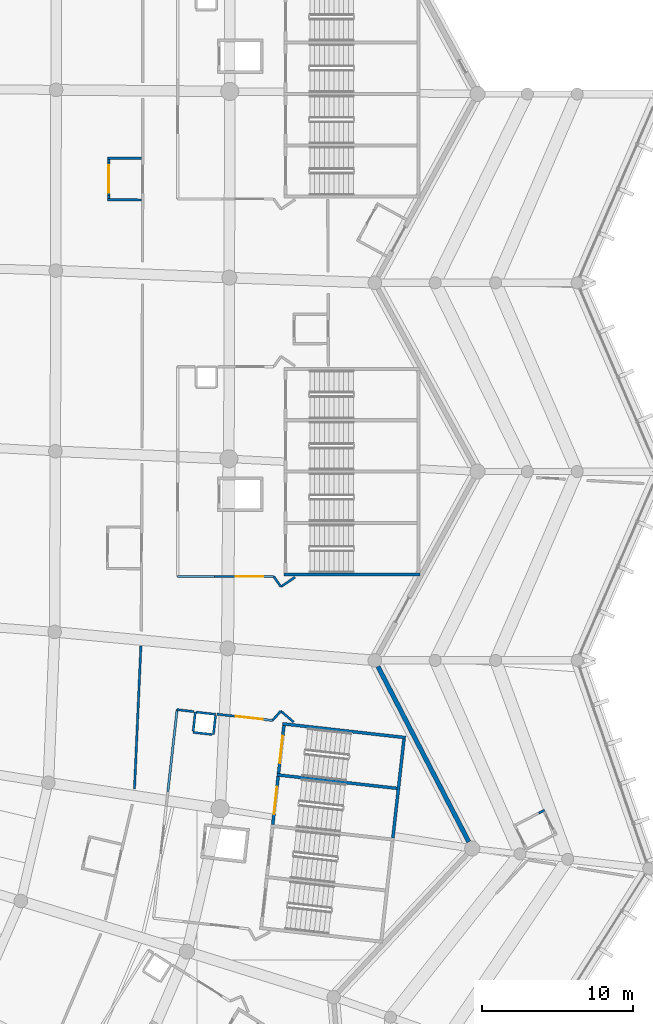
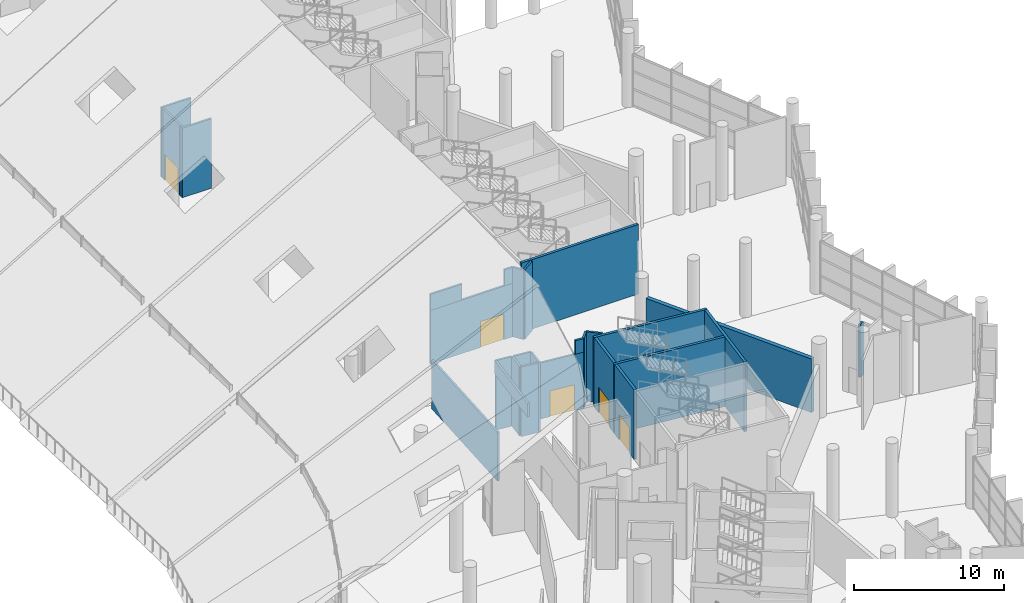
# One storey, part 155 of 249: 29 walls, 5 doors, 5 openings.
"""IFC4 building model written with IfcOpenShell, lengths in metres."""

import ifcopenshell
import ifcopenshell.guid

model = None  # the IFC model being written
_history = None  # IfcOwnerHistory: only IFC2X3 demands one
_inside = {}  # id of a spatial element -> (the spatial element, [elements in it])
_under = {}  # id of a project, library or spatial element -> (it, [spatial elements below it])
_declared = {}  # id of a project -> (the project, [libraries it declares])
_typed = {}  # id of a type object -> (the type object, [elements of that type])
_made_of = {}  # id of a material, layer set ... -> (it, [elements and type objects made of it])


def new_model(schema):
    """Start an empty IFC model of exactly this schema.

    Asked for "IFC4X3", IfcOpenShell would pick the latest addendum, in which some entities
    have other attributes; the version numbers below select the first issue.
    IFC2X3 requires an IfcOwnerHistory on every rooted entity: one is made here for all.
    """
    global model, _history
    if schema == "IFC4X3":
        model = ifcopenshell.file(schema_version=(4, 3, 0, 0))
    else:
        model = ifcopenshell.file(schema=schema)
    _inside.clear()
    _under.clear()
    _declared.clear()
    _typed.clear()
    _made_of.clear()
    _history = None
    if model.schema == "IFC2X3":
        org = make("IfcOrganization", Name="unknown")
        user = make(
            "IfcPersonAndOrganization",
            ThePerson=make("IfcPerson", FamilyName="unknown"),
            TheOrganization=org,
        )
        app = make(
            "IfcApplication",
            ApplicationDeveloper=org,
            Version="unknown",
            ApplicationFullName="unknown",
            ApplicationIdentifier="unknown",
        )
        _history = make(
            "IfcOwnerHistory",
            OwningUser=user,
            OwningApplication=app,
            ChangeAction="ADDED",
            CreationDate=0,
        )
    return model


def make(cls, **values):
    """One entity of the class cls with the attributes given. An attribute that is None is left unset."""
    return model.create_entity(
        cls, **{name: value for name, value in values.items() if value is not None}
    )


def rooted(cls, **values):
    """An entity with a GlobalId (a new one), such as an element, a storey or a relation."""
    return make(cls, GlobalId=ifcopenshell.guid.new(), OwnerHistory=_history, **values)


def si_unit(unit_type, name, prefix=None):
    """IfcSIUnit, for example si_unit("LENGTHUNIT", "METRE", prefix="MILLI")."""
    return make("IfcSIUnit", UnitType=unit_type, Prefix=prefix, Name=name)


def assignment(units):
    """IfcUnitAssignment: the units of a project."""
    return None if units is None else make("IfcUnitAssignment", Units=units)


def point(xyz):
    """IfcCartesianPoint."""
    return None if xyz is None else make("IfcCartesianPoint", Coordinates=xyz)


def direction(xyz):
    """IfcDirection."""
    return None if xyz is None else make("IfcDirection", DirectionRatios=xyz)


def frame(location, z_axis=None, x_axis=None):
    """IfcAxis2Placement3D, a coordinate frame: its origin and axes. An axis left out is left unset."""
    return make(
        "IfcAxis2Placement3D",
        Location=point(location),
        Axis=direction(z_axis),
        RefDirection=direction(x_axis),
    )


def frame_2d(location, x_axis=None):
    """IfcAxis2Placement2D, a coordinate frame in the plane: its origin and x axis."""
    return make(
        "IfcAxis2Placement2D", Location=point(location), RefDirection=direction(x_axis)
    )


def origin():
    """The frame at (0, 0, 0) with its axes left unset."""
    return frame((0.0, 0.0, 0.0))


def place(relative_to, where):
    """IfcLocalPlacement: puts the frame where relative to a parent placement (None: the world)."""
    return make(
        "IfcLocalPlacement", PlacementRelTo=relative_to, RelativePlacement=where
    )


def context(
    kind, dimensions, precision=None, world=None, true_north=None, identifier=None
):
    """IfcGeometricRepresentationContext, for example the 3D "Model" context."""
    return make(
        "IfcGeometricRepresentationContext",
        ContextIdentifier=identifier,
        ContextType=kind,
        CoordinateSpaceDimension=dimensions,
        Precision=precision,
        WorldCoordinateSystem=world,
        TrueNorth=true_north,
    )


def subcontext(parent, identifier, kind, view, scale=None):
    """IfcGeometricRepresentationSubContext, for example "Body" below "Model"."""
    return make(
        "IfcGeometricRepresentationSubContext",
        ContextIdentifier=identifier,
        ContextType=kind,
        ParentContext=parent,
        TargetScale=scale,
        TargetView=view,
    )


def project(units=None, contexts=None):
    """IfcProject with its units and contexts."""
    return rooted(
        "IfcProject",
        Name="project",
        RepresentationContexts=contexts,
        UnitsInContext=assignment(units),
    )


def spatial(cls, under=None, at=None, **own):
    """A site, building, storey or space (cls), placed at a placement, below another one or the project."""
    s = rooted(cls, ObjectPlacement=at, **own)
    if under is not None:
        _under.setdefault(under.id(), (under, []))[1].append(s)
    return s


def profile(cls, at=None, kind="AREA", **sizes):
    """A parametric profile (cls). Its sizes go by their IFC names, for example OverallWidth=200.0."""
    return make(cls, ProfileType=kind, Position=at, **sizes)


def rectangle(**sizes):
    """IfcRectangleProfileDef."""
    return profile("IfcRectangleProfileDef", **sizes)


def extrude(swept, where, along, depth):
    """IfcExtrudedAreaSolid: the profile swept, set in the frame where, extruded along a direction by depth."""
    return make(
        "IfcExtrudedAreaSolid",
        SweptArea=swept,
        Position=where,
        ExtrudedDirection=direction(along),
        Depth=depth,
    )


def shape(context_of_items, identifier, shape_type, items):
    """IfcShapeRepresentation: the items that make up one representation, for example the "Body"."""
    return make(
        "IfcShapeRepresentation",
        ContextOfItems=context_of_items,
        RepresentationIdentifier=identifier,
        RepresentationType=shape_type,
        Items=items,
    )


def material(Name=None, Category=None):
    """IfcMaterial."""
    return make("IfcMaterial", Name=Name, Category=Category)


def layer(
    of_material, thickness, ventilated=None, Name=None, Category=None, Priority=None
):
    """IfcMaterialLayer: one layer of a wall or slab, of a material (None: an air gap)."""
    return make(
        "IfcMaterialLayer",
        Material=of_material,
        LayerThickness=thickness,
        IsVentilated=ventilated,
        Name=Name,
        Category=Category,
        Priority=Priority,
    )


def layer_set(layers, Name=None):
    """IfcMaterialLayerSet."""
    return make("IfcMaterialLayerSet", MaterialLayers=layers, LayerSetName=Name)


def made_of(thing, what):
    """Note that an element or type object is made of a material, layer set ...; save() writes the relation."""
    if what is not None:
        _made_of.setdefault(what.id(), (what, []))[1].append(thing)
    return thing


def type_object(cls, material=None, **own):
    """A type object (cls), such as IfcWallType, which elements share."""
    return made_of(rooted(cls, **own), material)


def element(
    cls,
    number,
    at=None,
    inside=None,
    cuts=None,
    type_object=None,
    material=None,
    context=None,
    identifier="Body",
    shape_type=None,
    held_by="IfcProductDefinitionShape",
    body=None,
    shapes=None,
    **own,
):
    """One element of the class cls, such as IfcWall. Its Tag is "e" and its number.

    at: its placement. inside: the storey or other place that contains it. cuts: it is an
    opening in that element (IfcRelVoidsElement). A single representation is given by context,
    identifier, shape_type and body (its items); several are given by shapes. held_by: the class
    of the entity that holds the representations. save() writes the other relations.
    """
    e = rooted(cls, Tag="e%d" % number, ObjectPlacement=at, **own)
    if body is not None:
        shapes = [shape(context, identifier, shape_type, body)]
    if shapes is not None:
        e.Representation = make(held_by, Representations=shapes)
    if inside is not None:
        _inside.setdefault(inside.id(), (inside, []))[1].append(e)
    if cuts is not None:
        rooted(
            "IfcRelVoidsElement", RelatingBuildingElement=cuts, RelatedOpeningElement=e
        )
    if type_object is not None:
        _typed.setdefault(type_object.id(), (type_object, []))[1].append(e)
    return made_of(e, material)


def fill(opening, filler):
    """IfcRelFillsElement: the door or window that sits in an opening."""
    return rooted(
        "IfcRelFillsElement",
        RelatingOpeningElement=opening,
        RelatedBuildingElement=filler,
    )


def aggregate(whole, parts):
    """IfcRelAggregates: a whole, such as a stair, and the parts it consists of."""
    return rooted("IfcRelAggregates", RelatingObject=whole, RelatedObjects=parts)


def save(model, path):
    """Write the relations noted so far, then the file.

    IfcRelAggregates (storeys below a building ...), IfcRelContainedInSpatialStructure (elements
    in a storey), IfcRelDefinesByType, IfcRelAssociatesMaterial and IfcRelDeclares: one each for
    every whole, place, type object, material and project.
    """
    for whole, parts in _under.values():
        aggregate(whole, parts)
    for where, things in _inside.values():
        rooted(
            "IfcRelContainedInSpatialStructure",
            RelatedElements=things,
            RelatingStructure=where,
        )
    for kind, things in _typed.values():
        rooted("IfcRelDefinesByType", RelatedObjects=things, RelatingType=kind)
    for what, things in _made_of.values():
        rooted("IfcRelAssociatesMaterial", RelatedObjects=things, RelatingMaterial=what)
    for by, libraries in _declared.values():
        rooted("IfcRelDeclares", RelatingContext=by, RelatedDefinitions=libraries)
    model.write(path)


model = new_model("IFC4")

# Units and contexts
model_context = context("Model", 3, precision=1e-05, world=origin(), true_north=direction((0.0, 1.0)))
body_context = subcontext(model_context, "Body", "Model", "MODEL_VIEW")
ifc_project = project(units=[si_unit("LENGTHUNIT", "METRE"), si_unit("AREAUNIT", "SQUARE_METRE"), si_unit("VOLUMEUNIT", "CUBIC_METRE"), si_unit("PLANEANGLEUNIT", "RADIAN"), si_unit("MASSUNIT", "GRAM", prefix="KILO")], contexts=[model_context])

# Site, building, storey
site_placement = place(None, origin())
site = spatial("IfcSite", under=ifc_project, at=site_placement, CompositionType="ELEMENT")
building_placement = place(site_placement, origin())
building = spatial("IfcBuilding", under=site, at=building_placement, Name="Meseta Stadium", CompositionType="ELEMENT")
storey_placement = place(building_placement, frame((0.0, 0.0, 12.0)))
storey = spatial("IfcBuildingStorey", under=building, at=storey_placement, Name="L02", CompositionType="ELEMENT", Elevation=12.0)

# Walls
ifc_material_1 = material(Name="Concrete C40/50", Category="concrete")
ifc_layer_1 = layer(ifc_material_1, 0.199951171875)
ifc_layer_set_1 = layer_set([ifc_layer_1], Name="Core divider wall 200")
wall_type_1 = type_object("IfcWallType", Name="Core divider wall 200", PredefinedType="SHEAR", material=ifc_layer_set_1)
wall_1_placement = place(storey_placement, frame((96.264892578125, -52.241943359375, 0.0), z_axis=(0.0, 0.0, 1.0), x_axis=(-0.993713731549, 0.111950970206, 0.0)))
element("IfcWall", 1, at=wall_1_placement, inside=storey, type_object=wall_type_1, Name="Core 01 L02 stair B divider wall", PredefinedType="SHEAR", context=body_context, shape_type="SweptSolid", body=[
    extrude(rectangle(XDim=8.19970703125, YDim=0.199951171875, at=frame_2d((4.099853515625, 0.0))), origin(), (0.0, 0.0, 1.0), 5.64990234375),
])
ifc_material_2 = material(Name="Concrete C40/50", Category="concrete")
ifc_layer_2 = layer(ifc_material_2, 0.199951171875)
ifc_layer_set_2 = layer_set([ifc_layer_2], Name="Core shaft wall 200")
wall_type_2 = type_object("IfcWallType", Name="Core shaft wall 200", PredefinedType="SHEAR", material=ifc_layer_set_2)
wall_2_placement = place(storey_placement, frame((96.645751953125, -48.86328125, 0.0), z_axis=(0.0, 0.0, 1.0), x_axis=(-0.993714104693, 0.111947658007, 0.0)))
element("IfcWall", 2, at=wall_2_placement, inside=storey, type_object=wall_type_2, Name="Core 01 L02 stair wall B-side", PredefinedType="SHEAR", context=body_context, shape_type="SweptSolid", body=[
    extrude(rectangle(XDim=8.199951171875, YDim=0.199951171875, at=frame_2d((4.10009765625, 0.0))), origin(), (0.0, 0.0, 1.0), 5.64990234375),
])
wall_3_placement = place(storey_placement, frame((95.796142578125, -55.510009765625, 0.0), z_axis=(0.0, 0.0, 1.0), x_axis=(0.111970106426, 0.993711575492, 0.0)))
element("IfcWall", 3, at=wall_3_placement, inside=storey, type_object=wall_type_2, Name="Core 01 L02 stair B outer end wall", PredefinedType="SHEAR", context=body_context, shape_type="SweptSolid", body=[
    extrude(rectangle(XDim=6.60009765625, YDim=0.199951171875, at=frame_2d((3.300048828125, 0.0))), origin(), (0.0, 0.0, 1.0), 5.64990234375),
])

# Wall, opening, door
wall_4_placement = place(storey_placement, frame((87.846435546875, -54.6142578125, 0.0), z_axis=(0.0, 0.0, 1.0), x_axis=(0.112005735442, 0.993707560215, 0.0)))
wall_4 = element("IfcWall", 4, at=wall_4_placement, inside=storey, type_object=wall_type_2, Name="Core 01 L02 stair B1 inner end wall", PredefinedType="SHEAR", context=body_context, shape_type="SweptSolid", body=[
    extrude(rectangle(XDim=3.19970703125, YDim=0.199951171875, at=frame_2d((1.599853515625, 0.0))), origin(), (0.0, 0.0, 1.0), 5.64990234375),
])
opening_1_placement = place(wall_4_placement, frame((0.699951171875, 0.0, 0.0)))
opening_1 = element("IfcOpeningElement", 5, at=opening_1_placement, cuts=wall_4, Name="Opening D1235", PredefinedType="OPENING", context=body_context, shape_type="SweptSolid", body=[
    extrude(rectangle(XDim=1.800048828125, YDim=2.10009765625, at=frame_2d((0.89990234375, 1.050048828125))), frame((0.0, 0.10986328125, 0.0), z_axis=(0.0, -1.0, 0.0), x_axis=(1.0, 0.0, 0.0)), (0.0, 0.0, 1.0), 0.219970703125),
])
ifc_material_3 = material(Name="Steel", Category="steel")
door_type_1 = type_object("IfcDoorType", Name="Stair door 1800x2100", OperationType="DOUBLE_DOOR_SINGLE_SWING", PredefinedType="DOOR", material=ifc_material_3)
door_1_placement = place(opening_1_placement, origin())
door_1 = element("IfcDoor", 6, at=door_1_placement, inside=storey, type_object=door_type_1, Name="Stair B1 door 01 L02", OperationType="DOUBLE_DOOR_SINGLE_SWING", OverallHeight=2.10009765625, OverallWidth=1.800048828125, PredefinedType="DOOR", context=body_context, shape_type="SweptSolid", body=[
    extrude(rectangle(XDim=1.800048828125, YDim=2.10009765625, at=frame_2d((0.89990234375, 1.050048828125))), frame((0.0, 0.02490234375, 0.0), z_axis=(0.0, -1.0, 0.0), x_axis=(1.0, 0.0, 0.0)), (0.0, 0.0, 1.0), 0.050048828125),
])
fill(opening_1, door_1)

wall_5_placement = place(storey_placement, frame((88.227294921875, -51.235595703125, 0.0), z_axis=(0.0, 0.0, 1.0), x_axis=(0.111930393474, 0.993716049491, 0.0)))
wall_5 = element("IfcWall", 7, at=wall_5_placement, inside=storey, type_object=wall_type_2, Name="Core 01 L02 stair B2 inner end wall", PredefinedType="SHEAR", context=body_context, shape_type="SweptSolid", body=[
    extrude(rectangle(XDim=3.19970703125, YDim=0.199951171875, at=frame_2d((1.599853515625, 0.0))), origin(), (0.0, 0.0, 1.0), 5.64990234375),
])
opening_2_placement = place(wall_5_placement, frame((0.699951171875, 0.0, 0.0)))
opening_2 = element("IfcOpeningElement", 8, at=opening_2_placement, cuts=wall_5, Name="Opening D1236", PredefinedType="OPENING", context=body_context, shape_type="SweptSolid", body=[
    extrude(rectangle(XDim=1.800048828125, YDim=2.10009765625, at=frame_2d((0.89990234375, 1.050048828125))), frame((0.0, 0.10986328125, 0.0), z_axis=(0.0, -1.0, 0.0), x_axis=(1.0, 0.0, 0.0)), (0.0, 0.0, 1.0), 0.219970703125),
])
door_2_placement = place(opening_2_placement, origin())
door_2 = element("IfcDoor", 9, at=door_2_placement, inside=storey, type_object=door_type_1, Name="Stair B2 door 01 L02", OperationType="DOUBLE_DOOR_SINGLE_SWING", OverallHeight=2.10009765625, OverallWidth=1.800048828125, PredefinedType="DOOR", context=body_context, shape_type="SweptSolid", body=[
    extrude(rectangle(XDim=1.800048828125, YDim=2.10009765625, at=frame_2d((0.89990234375, 1.050048828125))), frame((0.0, 0.02490234375, 0.0), z_axis=(0.0, -1.0, 0.0), x_axis=(1.0, 0.0, 0.0)), (0.0, 0.0, 1.0), 0.050048828125),
])
fill(opening_2, door_2)

# Walls
wall_6_placement = place(storey_placement, frame((97.60009765625, -38.050048828125, 0.0), z_axis=(0.0, 0.0, 1.0), x_axis=(-1.0, 0.0, 0.0)))
element("IfcWall", 10, at=wall_6_placement, inside=storey, type_object=wall_type_2, Name="Core 02 L02 stair wall A-side", PredefinedType="SHEAR", context=body_context, shape_type="SweptSolid", body=[
    extrude(rectangle(XDim=9.0, YDim=0.199951171875, at=frame_2d((4.5, 0.0))), origin(), (0.0, 0.0, 1.0), 5.64990234375),
])
ifc_material_4 = material(Name="Masonry blockwork", Category="masonry")
ifc_layer_3 = layer(ifc_material_4, 0.14990234375)
ifc_layer_set_3 = layer_set([ifc_layer_3], Name="Partition 150")
wall_type_3 = type_object("IfcWallType", Name="Partition 150", PredefinedType="PARTITIONING", material=ifc_layer_set_3)
wall_7_placement = place(storey_placement, frame((79.115478515625, -42.80029296875, 0.0), z_axis=(0.0, 0.0, 1.0), x_axis=(-0.044768155876, -0.99899740351, 0.0)))
element("IfcWall", 11, at=wall_7_placement, inside=storey, type_object=wall_type_3, Name="Partition L02 L02-cell00-0-0", PredefinedType="PARTITIONING", context=body_context, shape_type="SweptSolid", body=[
    extrude(rectangle(XDim=9.47265625, YDim=0.14990234375, at=frame_2d((4.736328125, 0.0))), origin(), (0.0, 0.0, 1.0), 3.972900390625),
])
for number, where, z_axis, x_axis, name in (
    (12, (83.913330078125, -48.66162109375, 0.0), (0.0, 0.0, 1.0), (0.111818407645, 0.993728656984, 0.0), "Pressurisation shaft wall L02 core 01"),
    (13, (84.064453125, -47.320068359375, 0.0), (0.0, 0.0, 1.0), (-0.993707363865, 0.11200747743, 0.0), "Pressurisation shaft wall L02 core 01"),
):
    element("IfcWall", number, at=place(storey_placement, frame(where, z_axis=z_axis, x_axis=x_axis)), inside=storey, type_object=wall_type_3, Name=name, PredefinedType="PARTITIONING", context=body_context, shape_type="SweptSolid", body=[
        extrude(rectangle(XDim=1.275146484375, YDim=0.14990234375, at=frame_2d((0.6376953125, 0.0))), origin(), (0.0, 0.0, 1.0), 5.64990234375),
    ])
for number, where, z_axis, x_axis, name in (
    (14, (82.722900390625, -47.1689453125, 0.0), (0.0, 0.0, 1.0), (-0.112028792108, -0.993704961112, 0.0), "Pressurisation shaft wall L02 core 01"),
    (15, (82.57177734375, -48.510498046875, 0.0), (0.0, 0.0, 1.0), (0.993726262285, -0.111839687257, 0.0), "Pressurisation shaft wall L02 core 01"),
):
    element("IfcWall", number, at=place(storey_placement, frame(where, z_axis=z_axis, x_axis=x_axis)), inside=storey, type_object=wall_type_3, Name=name, PredefinedType="PARTITIONING", context=body_context, shape_type="SweptSolid", body=[
        extrude(rectangle(XDim=1.27490234375, YDim=0.14990234375, at=frame_2d((0.637451171875, 0.0))), origin(), (0.0, 0.0, 1.0), 5.64990234375),
    ])
wall_8_placement = place(storey_placement, frame((82.640625, -47.139404296875, 0.0), z_axis=(0.0, 0.0, 1.0), x_axis=(-0.993725340882, 0.111847873866, 0.0)))
element("IfcWall", 16, at=wall_8_placement, inside=storey, type_object=wall_type_3, Name="Stair vestibule wall L02 core 01", PredefinedType="PARTITIONING", context=body_context, shape_type="SweptSolid", body=[
    extrude(rectangle(XDim=1.135009765625, YDim=0.14990234375, at=frame_2d((0.5673828125, 0.0))), origin(), (0.0, 0.0, 1.0), 5.64990234375),
])
wall_9_placement = place(storey_placement, frame((81.5126953125, -47.012451171875, 4.550048828125), z_axis=(0.0, 0.0, 1.0), x_axis=(-0.111943888003, -0.993714529399, 0.0)))
element("IfcWall", 17, at=wall_9_placement, inside=storey, type_object=wall_type_3, Name="Stair vestibule wall L02 core 01", PredefinedType="PARTITIONING", context=body_context, shape_type="SweptSolid", body=[
    extrude(rectangle(XDim=5.45654296875, YDim=0.14990234375, at=frame_2d((2.728271484375, 0.0))), origin(), (0.0, 0.0, 1.0), 1.099853515625),
])
wall_10_placement = place(storey_placement, frame((89.233642578125, -47.83740234375, 0.0), z_axis=(0.0, 0.0, 1.0), x_axis=(-0.758950911089, 0.651147843855, 0.0)))
element("IfcWall", 18, at=wall_10_placement, inside=storey, type_object=wall_type_3, Name="Stair vestibule wall L02 core 01", PredefinedType="PARTITIONING", context=body_context, shape_type="SweptSolid", body=[
    extrude(rectangle(XDim=1.1279296875, YDim=0.14990234375, at=frame_2d((0.56396484375, 0.0))), origin(), (0.0, 0.0, 1.0), 5.64990234375),
])
wall_11_placement = place(storey_placement, frame((88.377685546875, -47.10302734375, 0.0), z_axis=(0.0, 0.0, 1.0), x_axis=(-0.66330376879, -0.748350259109, 0.0)))
element("IfcWall", 19, at=wall_11_placement, inside=storey, type_object=wall_type_3, Name="Stair vestibule wall L02 core 01", PredefinedType="PARTITIONING", context=body_context, shape_type="SweptSolid", body=[
    extrude(rectangle(XDim=0.82958984375, YDim=0.14990234375, at=frame_2d((0.414794921875, 0.0))), origin(), (0.0, 0.0, 1.0), 5.64990234375),
])

# Wall, opening, door
wall_12_placement = place(storey_placement, frame((87.827392578125, -47.723876953125, 0.0), z_axis=(0.0, 0.0, 1.0), x_axis=(-0.993708869306, 0.11199412066, 0.0)))
wall_12 = element("IfcWall", 20, at=wall_12_placement, inside=storey, type_object=wall_type_3, Name="Stair vestibule wall L02 core 01", PredefinedType="PARTITIONING", context=body_context, shape_type="SweptSolid", body=[
    extrude(rectangle(XDim=3.70361328125, YDim=0.14990234375, at=frame_2d((1.851806640625, 0.0))), origin(), (0.0, 0.0, 1.0), 4.550048828125),
])
opening_3_placement = place(wall_12_placement, frame((0.64990234375, 0.0, 0.0)))
opening_3 = element("IfcOpeningElement", 21, at=opening_3_placement, cuts=wall_12, Name="Opening D1225", PredefinedType="OPENING", context=body_context, shape_type="SweptSolid", body=[
    extrude(rectangle(XDim=1.800048828125, YDim=2.10009765625, at=frame_2d((0.89990234375, 1.050048828125))), frame((0.0, 0.0849609375, 0.0), z_axis=(0.0, -1.0, 0.0), x_axis=(1.0, 0.0, 0.0)), (0.0, 0.0, 1.0), 0.169921875),
])
ifc_material_5 = material(Name="Steel", Category="steel")
door_type_2 = type_object("IfcDoorType", Name="Fire double door 1800x2100 EI2 60", OperationType="DOUBLE_DOOR_SINGLE_SWING", PredefinedType="DOOR", material=ifc_material_5)
door_3_placement = place(opening_3_placement, origin())
door_3 = element("IfcDoor", 22, at=door_3_placement, inside=storey, type_object=door_type_2, Name="Stair vestibule door L02 core 01", OperationType="DOUBLE_DOOR_SINGLE_SWING", OverallHeight=2.10009765625, OverallWidth=1.800048828125, PredefinedType="DOOR", context=body_context, shape_type="SweptSolid", body=[
    extrude(rectangle(XDim=1.800048828125, YDim=2.10009765625, at=frame_2d((0.89990234375, 1.050048828125))), frame((0.0, 0.02490234375, 0.0), z_axis=(0.0, -1.0, 0.0), x_axis=(1.0, 0.0, 0.0)), (0.0, 0.0, 1.0), 0.050048828125),
])
fill(opening_3, door_3)

# Wall
wall_13_placement = place(storey_placement, frame((87.827392578125, -47.723876953125, 4.550048828125), z_axis=(0.0, 0.0, 1.0), x_axis=(-0.993673547442, 0.112307083986, 0.0)))
element("IfcWall", 23, at=wall_13_placement, inside=storey, type_object=wall_type_3, Name="Stair vestibule wall L02 core 01", PredefinedType="PARTITIONING", context=body_context, shape_type="SweptSolid", body=[
    extrude(rectangle(XDim=0.60009765625, YDim=0.14990234375, at=frame_2d((0.300048828125, 0.0))), origin(), (0.0, 0.0, 1.0), 1.099853515625),
])

# Wall, opening, door
wall_14_placement = place(storey_placement, frame((81.554931640625, -38.195068359375, 0.0), z_axis=(0.0, 0.0, 1.0), x_axis=(1.0, 0.0, 0.0)))
wall_14 = element("IfcWall", 24, at=wall_14_placement, inside=storey, type_object=wall_type_3, Name="Stair vestibule wall L02 core 02", PredefinedType="PARTITIONING", context=body_context, shape_type="SweptSolid", body=[
    extrude(rectangle(XDim=6.354248046875, YDim=0.14990234375, at=frame_2d((3.17724609375, 0.0))), origin(), (0.0, 0.0, 1.0), 4.35009765625),
])
opening_4_placement = place(wall_14_placement, frame((3.85009765625, 0.0, 0.0)))
opening_4 = element("IfcOpeningElement", 25, at=opening_4_placement, cuts=wall_14, Name="Opening D1226", PredefinedType="OPENING", context=body_context, shape_type="SweptSolid", body=[
    extrude(rectangle(XDim=1.800048828125, YDim=2.10009765625, at=frame_2d((0.89990234375, 1.050048828125))), frame((0.0, 0.0849609375, 0.0), z_axis=(0.0, -1.0, 0.0), x_axis=(1.0, 0.0, 0.0)), (0.0, 0.0, 1.0), 0.169921875),
])
door_4_placement = place(opening_4_placement, origin())
door_4 = element("IfcDoor", 26, at=door_4_placement, inside=storey, type_object=door_type_2, Name="Stair vestibule door L02 core 02", OperationType="DOUBLE_DOOR_SINGLE_SWING", OverallHeight=2.10009765625, OverallWidth=1.800048828125, PredefinedType="DOOR", context=body_context, shape_type="SweptSolid", body=[
    extrude(rectangle(XDim=1.800048828125, YDim=2.10009765625, at=frame_2d((0.89990234375, 1.050048828125))), frame((0.0, 0.02490234375, 0.0), z_axis=(0.0, -1.0, 0.0), x_axis=(1.0, 0.0, 0.0)), (0.0, 0.0, 1.0), 0.050048828125),
])
fill(opening_4, door_4)

# Walls
wall_15_placement = place(storey_placement, frame((81.554931640625, -38.195068359375, 4.35009765625), z_axis=(0.0, 0.0, 1.0), x_axis=(1.0, 0.0, 0.0)))
element("IfcWall", 27, at=wall_15_placement, inside=storey, type_object=wall_type_3, Name="Stair vestibule wall L02 core 02", PredefinedType="PARTITIONING", context=body_context, shape_type="SweptSolid", body=[
    extrude(rectangle(XDim=2.444091796875, YDim=0.14990234375, at=frame_2d((1.22216796875, 0.0))), origin(), (0.0, 0.0, 1.0), 1.2998046875),
])
wall_16_placement = place(storey_placement, frame((87.2548828125, -38.195068359375, 4.35009765625), z_axis=(0.0, 0.0, 1.0), x_axis=(1.0, 0.0, 0.0)))
element("IfcWall", 28, at=wall_16_placement, inside=storey, type_object=wall_type_3, Name="Stair vestibule wall L02 core 02", PredefinedType="PARTITIONING", context=body_context, shape_type="SweptSolid", body=[
    extrude(rectangle(XDim=0.654296875, YDim=0.14990234375, at=frame_2d((0.3271484375, 0.0))), origin(), (0.0, 0.0, 1.0), 1.2998046875),
])
wall_17_placement = place(storey_placement, frame((87.9091796875, -38.195068359375, 0.0), z_axis=(0.0, 0.0, 1.0), x_axis=(0.575573582652, -0.81774999294, 0.0)))
element("IfcWall", 29, at=wall_17_placement, inside=storey, type_object=wall_type_3, Name="Stair vestibule wall L02 core 02", PredefinedType="PARTITIONING", context=body_context, shape_type="SweptSolid", body=[
    extrude(rectangle(XDim=0.82958984375, YDim=0.14990234375, at=frame_2d((0.414794921875, 0.0))), origin(), (0.0, 0.0, 1.0), 5.64990234375),
])
wall_18_placement = place(storey_placement, frame((88.38671875, -38.87353515625, 0.0), z_axis=(0.0, 0.0, 1.0), x_axis=(0.827055308354, 0.562120553728, 0.0)))
element("IfcWall", 30, at=wall_18_placement, inside=storey, type_object=wall_type_3, Name="Stair vestibule wall L02 core 02", PredefinedType="PARTITIONING", context=body_context, shape_type="SweptSolid", body=[
    extrude(rectangle(XDim=1.1279296875, YDim=0.14990234375, at=frame_2d((0.56396484375, 0.0))), origin(), (0.0, 0.0, 1.0), 5.64990234375),
])
for number, where, z_axis, x_axis, name in (
    (31, (79.16259765625, -10.511474609375, 0.0), (0.0, 0.0, 1.0), (-0.999997403897, 0.002278639918, 0.0), "Partition L02 L02-cell01-0-0 vestibule"),
    (32, (79.156494140625, -13.261474609375, 0.0), (0.0, 0.0, 1.0), (-0.999997403897, 0.002278639918, 0.0), "Partition L02 L02-cell01-0-0 vestibule"),
):
    element("IfcWall", number, at=place(storey_placement, frame(where, z_axis=z_axis, x_axis=x_axis)), inside=storey, type_object=wall_type_3, Name=name, PredefinedType="PARTITIONING", context=body_context, shape_type="SweptSolid", body=[
        extrude(rectangle(XDim=2.25, YDim=0.14990234375, at=frame_2d((1.125, 0.0))), origin(), (0.0, 0.0, 1.0), 5.64990234375),
    ])
wall_19_placement = place(storey_placement, frame((76.987548828125, -10.58154296875, 0.0), z_axis=(0.0, 0.0, 1.0), x_axis=(-0.002441995161, -0.999997018325, 0.0)))
element("IfcWall", 33, at=wall_19_placement, inside=storey, type_object=wall_type_3, Name="Partition L02 L02-cell01-0-0 vestibule", PredefinedType="PARTITIONING", context=body_context, shape_type="SweptSolid", body=[
    extrude(rectangle(XDim=0.199951171875, YDim=0.14990234375, at=frame_2d((0.10009765625, 0.0))), origin(), (0.0, 0.0, 1.0), 5.64990234375),
])

# Wall, opening, door
wall_20_placement = place(storey_placement, frame((76.987060546875, -10.781494140625, 0.0), z_axis=(0.0, 0.0, 1.0), x_axis=(-0.002330220038, -0.999997285034, 0.0)))
wall_20 = element("IfcWall", 34, at=wall_20_placement, inside=storey, type_object=wall_type_3, Name="Partition L02 L02-cell01-0-0 vestibule", PredefinedType="PARTITIONING", context=body_context, shape_type="SweptSolid", body=[
    extrude(rectangle(XDim=2.2001953125, YDim=0.14990234375, at=frame_2d((1.10009765625, 0.0))), origin(), (0.0, 0.0, 1.0), 5.64990234375),
])
opening_5_placement = place(wall_20_placement, frame((0.199951171875, 0.0, 0.0)))
opening_5 = element("IfcOpeningElement", 35, at=opening_5_placement, cuts=wall_20, Name="Opening D1197", PredefinedType="OPENING", context=body_context, shape_type="SweptSolid", body=[
    extrude(rectangle(XDim=1.800048828125, YDim=2.10009765625, at=frame_2d((0.89990234375, 1.050048828125))), frame((0.0, 0.0849609375, 0.0), z_axis=(0.0, -1.0, 0.0), x_axis=(1.0, 0.0, 0.0)), (0.0, 0.0, 1.0), 0.169921875),
])
door_5_placement = place(opening_5_placement, origin())
door_5 = element("IfcDoor", 36, at=door_5_placement, inside=storey, type_object=door_type_2, Name="Vestibule door L02 L02-cell01-0-0", OperationType="DOUBLE_DOOR_SINGLE_SWING", OverallHeight=2.10009765625, OverallWidth=1.800048828125, PredefinedType="DOOR", context=body_context, shape_type="SweptSolid", body=[
    extrude(rectangle(XDim=1.800048828125, YDim=2.10009765625, at=frame_2d((0.89990234375, 1.050048828125))), frame((0.0, 0.02490234375, 0.0), z_axis=(0.0, -1.0, 0.0), x_axis=(1.0, 0.0, 0.0)), (0.0, 0.0, 1.0), 0.050048828125),
])
fill(opening_5, door_5)

# Walls
wall_21_placement = place(storey_placement, frame((76.98193359375, -12.981689453125, 0.0), z_axis=(0.0, 0.0, 1.0), x_axis=(-0.002441995161, -0.999997018325, 0.0)))
element("IfcWall", 37, at=wall_21_placement, inside=storey, type_object=wall_type_3, Name="Partition L02 L02-cell01-0-0 vestibule", PredefinedType="PARTITIONING", context=body_context, shape_type="SweptSolid", body=[
    extrude(rectangle(XDim=0.199951171875, YDim=0.14990234375, at=frame_2d((0.10009765625, 0.0))), origin(), (0.0, 0.0, 1.0), 5.64990234375),
])
wall_22_placement = place(storey_placement, frame((105.46142578125, -53.856201171875, 0.0), z_axis=(0.0, 0.0, 1.0), x_axis=(0.887977848417, 0.459886225843, 0.0)))
element("IfcWall", 38, at=wall_22_placement, inside=storey, type_object=wall_type_3, Name="Partition L02 L02-ring00-0 vestibule", PredefinedType="PARTITIONING", context=body_context, shape_type="SweptSolid", body=[
    extrude(rectangle(XDim=0.429931640625, YDim=0.14990234375, at=frame_2d((0.21484375, 0.0))), origin(), (0.0, 0.0, 1.0), 4.300048828125),
])
ifc_material_6 = material(Name="White precast concrete C40/50", Category="concrete")
ifc_layer_4 = layer(ifc_material_6, 0.300048828125)
ifc_layer_set_4 = layer_set([ifc_layer_4], Name="Pleated panel wall 300 concourse")
wall_type_4 = type_object("IfcWallType", Name="Pleated panel wall 300 concourse", PredefinedType="SOLIDWALL", material=ifc_layer_set_4)
wall_23_placement = place(storey_placement, frame((94.806884765625, -44.1494140625, 0.0), z_axis=(0.0, 0.0, 1.0), x_axis=(0.460021193284, -0.887907935391, 0.0)))
element("IfcWall", 39, at=wall_23_placement, inside=storey, type_object=wall_type_4, Name="Pleated facade panel L02 F00", PredefinedType="SOLIDWALL", context=body_context, shape_type="SweptSolid", body=[
    extrude(rectangle(XDim=13.0751953125, YDim=0.300048828125, at=frame_2d((6.53759765625, 0.0))), origin(), (0.0, 0.0, 1.0), 4.35009765625),
])

save(model, "model.ifc")
